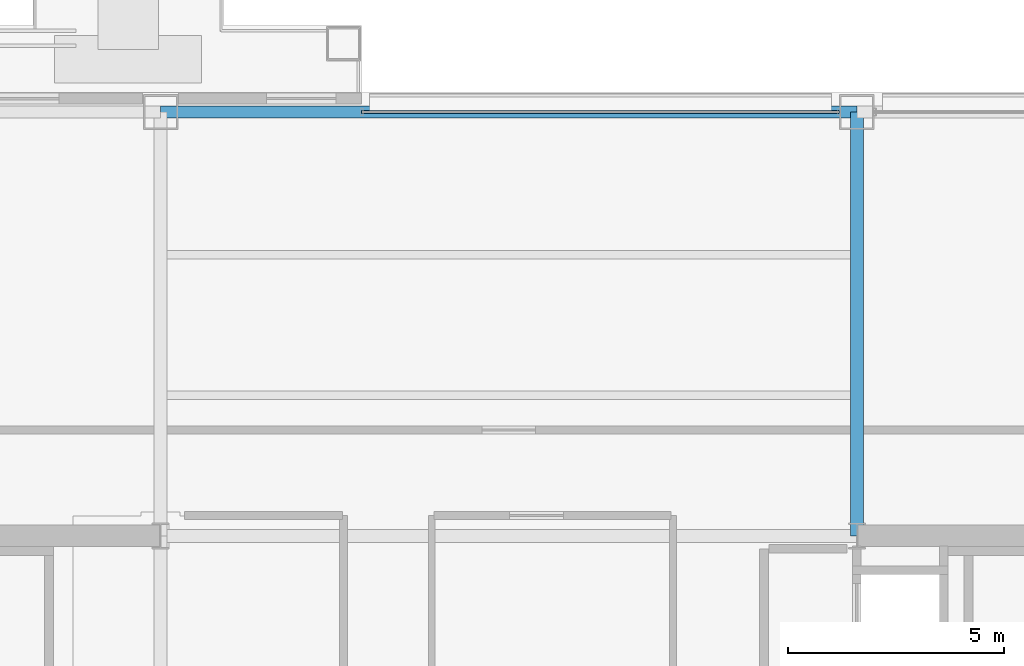
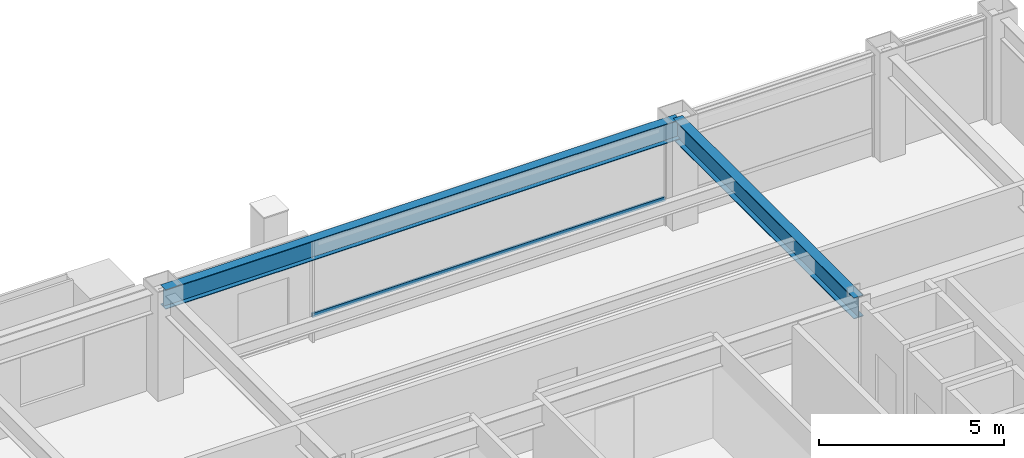
# One storey, part 20 of 29: 2 beams, 1 member, 1 element without a shape of its own.
"""IFC4 building model written with IfcOpenShell, lengths in metres."""

from ifc_helpers import new_model, si_unit, direction, frame, origin, origin_2d, place, context, subcontext, project, spatial, hollow_rectangle, i_section, extrude, material, layer, layer_set, material_profile, profile_set, type_object, element, aggregate, save


model = new_model("IFC4")

# Units and contexts
model_context = context("Model", 3, precision=1e-05, world=origin(), true_north=direction((0.0, 1.0)))
body_context = subcontext(model_context, "Body", "Model", "MODEL_VIEW")
ifc_project = project(units=[si_unit("LENGTHUNIT", "METRE"), si_unit("AREAUNIT", "SQUARE_METRE"), si_unit("VOLUMEUNIT", "CUBIC_METRE"), si_unit("PLANEANGLEUNIT", "RADIAN"), si_unit("MASSUNIT", "GRAM", prefix="KILO")], contexts=[model_context])

# Site, building, storey
site_placement = place(None, origin())
site = spatial("IfcSite", under=ifc_project, at=site_placement, CompositionType="ELEMENT")
building_placement = place(site_placement, origin())
building = spatial("IfcBuilding", under=site, at=building_placement, Name="Brelmoor Portico Tower", CompositionType="ELEMENT")
storey_placement = place(building_placement, frame((0.0, 0.0, 124.199951171875)))
storey = spatial("IfcBuildingStorey", under=building, at=storey_placement, Name="L32", CompositionType="ELEMENT", Elevation=124.199951171875)

# Beams
ifc_material_1 = material(Name="Steel Q355B", Category="steel")
ifc_material_profile_1 = material_profile(ifc_material_1, i_section(OverallWidth=0.300048828125, OverallDepth=0.699951171875, WebThickness=0.012939453125, FlangeThickness=0.02392578125, at=origin_2d()), Name="HN 700x300x13x24")
ifc_profile_set_1 = profile_set([ifc_material_profile_1], Name="Steel Q355B")
beam_type_1 = type_object("IfcBeamType", Name="BM-PG-700", PredefinedType="BEAM", material=ifc_profile_set_1)
beam_1_placement = place(storey_placement, frame((8.050048828125, 9.75, 3.050048828125), z_axis=(0.0, 1.0, 0.0), x_axis=(-1.0, 0.0, 0.0)))
element("IfcBeam", 1, at=beam_1_placement, inside=storey, type_object=beam_type_1, Name="L32 Primary Floor Girder PG-09", PredefinedType="BEAM", context=body_context, shape_type="SweptSolid", body=[
    extrude(i_section(OverallWidth=0.300048828125, OverallDepth=0.699951171875, WebThickness=0.012939453125, FlangeThickness=0.02392578125, at=origin_2d()), origin(), (0.0, 0.0, 1.0), 9.800048828125),
])
ifc_material_profile_2 = material_profile(ifc_material_1, i_section(OverallWidth=0.280029296875, OverallDepth=0.64990234375, WebThickness=0.012939453125, FlangeThickness=0.02197265625, at=origin_2d()), Name="HN 650x280x13x22")
ifc_profile_set_2 = profile_set([ifc_material_profile_2], Name="Steel Q355B")
beam_type_2 = type_object("IfcBeamType", Name="BM-SP-650", PredefinedType="SPANDREL", material=ifc_profile_set_2)
beam_2_placement = place(storey_placement, frame((-8.050048828125, 19.550048828125, 3.074951171875), z_axis=(1.0, 0.0, 0.0), x_axis=(0.0, 1.0, 0.0)))
element("IfcBeam", 2, at=beam_2_placement, inside=storey, type_object=beam_type_2, Name="L32 Perimeter Spandrel Beam SP-12", PredefinedType="SPANDREL", context=body_context, shape_type="SweptSolid", body=[
    extrude(i_section(OverallWidth=0.280029296875, OverallDepth=0.64990234375, WebThickness=0.012939453125, FlangeThickness=0.02197265625, at=origin_2d()), origin(), (0.0, 0.0, 1.0), 16.10009765625),
])

# Curtain wall, member
ifc_material_2 = material(Name="Anodised Aluminium Alloy 6063-T6", Category="aluminium")
ifc_layer = layer(ifc_material_2, 0.179931640625)
ifc_layer_set = layer_set([ifc_layer], Name="Anodised Aluminium Alloy 6063-T6")
curtain_wall_type = type_object("IfcCurtainWallType", Name="CW-TOWER-Z2", PredefinedType="NOTDEFINED", material=ifc_layer_set)
curtain_wall_placement = place(storey_placement, origin())
curtain_wall = element("IfcCurtainWall", 3, at=curtain_wall_placement, inside=storey, type_object=curtain_wall_type, Name="L32 Curtain Wall CW-L32-2R-1", PredefinedType="NOTDEFINED")
ifc_material_profile_3 = material_profile(ifc_material_2, hollow_rectangle(XDim=0.06494140625, YDim=0.139892578125, WallThickness=0.00390625, at=origin_2d()), Name="ALU TRANSOM 65x140")
ifc_profile_set_3 = profile_set([ifc_material_profile_3], Name="Anodised Aluminium Alloy 6063-T6")
member_type = type_object("IfcMemberType", Name="MB-CW-TRAN-140", PredefinedType="USERDEFINED", material=ifc_profile_set_3)
member_placement = place(storey_placement, frame((-3.39990234375, 19.550048828125, 0.85009765625), z_axis=(1.0, 0.0, 0.0), x_axis=(0.0, 1.0, 0.0)))
member = element("IfcMember", 4, at=member_placement, type_object=member_type, Name="CW-L32-2R-1 Transom 1-00", ObjectType="TRANSOM", PredefinedType="USERDEFINED", context=body_context, shape_type="SweptSolid", body=[
    extrude(hollow_rectangle(XDim=0.06494140625, YDim=0.139892578125, WallThickness=0.00390625, at=origin_2d()), origin(), (0.0, 0.0, 1.0), 11.039794921875),
])
aggregate(curtain_wall, [member])

save(model, "model.ifc")
